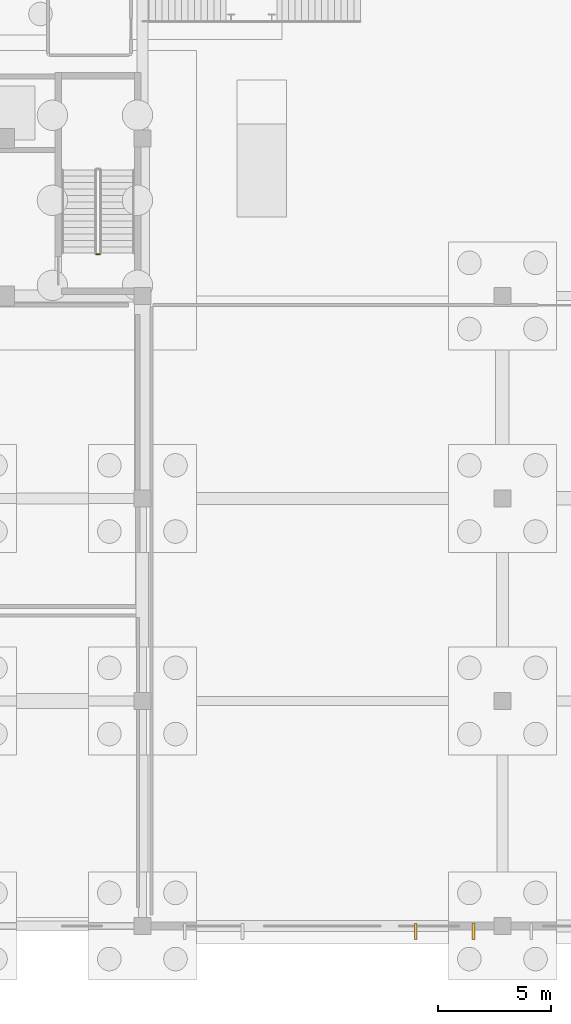
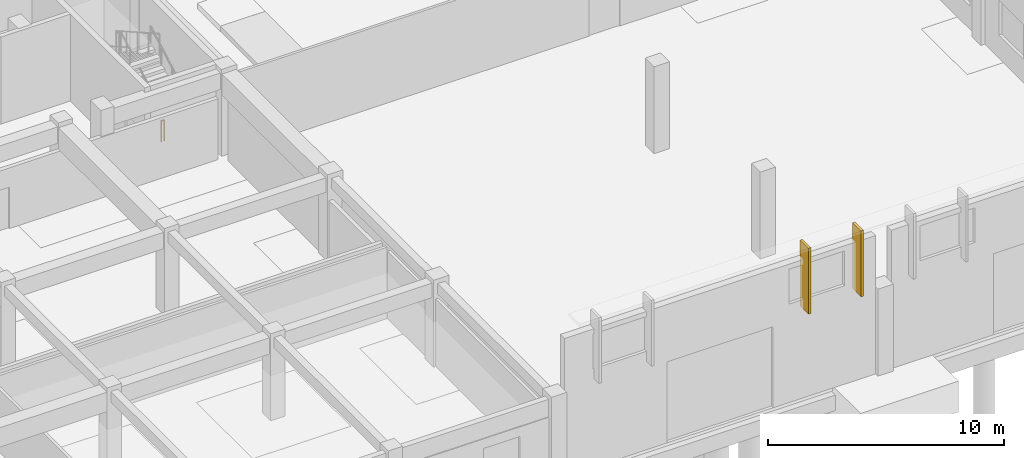
# One storey, part 78 of 84: 2 coverings, 1 railing.
"""IFC4 building model written with IfcOpenShell, lengths in metres."""

from ifc_helpers import new_model, si_unit, direction, frame, origin, origin_2d, place, context, subcontext, project, spatial, rectangle, circle, extrude, material, layer, layer_set, type_object, element, save


model = new_model("IFC4")

# Units and contexts
model_context = context("Model", 3, precision=1e-05, world=origin(), true_north=direction((0.0, 1.0)))
body_context = subcontext(model_context, "Body", "Model", "MODEL_VIEW")
ifc_project = project(units=[si_unit("LENGTHUNIT", "METRE"), si_unit("AREAUNIT", "SQUARE_METRE"), si_unit("VOLUMEUNIT", "CUBIC_METRE"), si_unit("PLANEANGLEUNIT", "RADIAN"), si_unit("MASSUNIT", "GRAM", prefix="KILO")], contexts=[model_context])

# Site, building, storey
site_placement = place(None, origin())
site = spatial("IfcSite", under=ifc_project, at=site_placement, CompositionType="ELEMENT")
building_placement = place(site_placement, origin())
building = spatial("IfcBuilding", under=site, at=building_placement, Name="Larkveld Mobility Hub", CompositionType="ELEMENT")
storey_placement = place(building_placement, origin())
storey = spatial("IfcBuildingStorey", under=building, at=storey_placement, Name="L00", CompositionType="ELEMENT", Elevation=0.0)

# Coverings
ifc_material_1 = material(Name="Precast concrete C50/60", Category="concrete")
ifc_layer = layer(ifc_material_1, 0.1201171875, Name="Precast concrete C50/60", Category="concrete")
ifc_layer_set = layer_set([ifc_layer], Name="Precast concrete C50/60")
covering_type = type_object("IfcCoveringType", Name="COV-QSL-V01", PredefinedType="CLADDING", material=ifc_layer_set)
for number, where, z_axis, x_axis, name in (
    (1, (164.14990234375, -0.239990234375, 4.58056640625), (0.0, 0.0, 1.0), (1.0, 0.0, 0.0), "Precast Quebra-Sol Vertical Fin QSV-189"),
    (2, (166.717041015625, -0.239990234375, 4.58056640625), (0.0, 0.0, 1.0), (1.0, 0.0, 0.0), "Precast Quebra-Sol Vertical Fin QSV-190"),
):
    element("IfcCovering", number, at=place(storey_placement, frame(where, z_axis=z_axis, x_axis=x_axis)), inside=storey, type_object=covering_type, Name=name, PredefinedType="CLADDING", context=body_context, shape_type="SweptSolid", body=[
        extrude(rectangle(XDim=0.1201171875, YDim=0.719970703125, at=origin_2d()), origin(), (0.0, 0.0, 1.0), 3.405029296875),
    ])

# Railing
ifc_material_2 = material(Name="Galvanized Steel S355JR balustrade", Category="steel")
railing_type = type_object("IfcRailingType", Name="RL-GRD-1100", PredefinedType="GUARDRAIL", material=ifc_material_2)
railing_placement = place(storey_placement, frame((150.10009765625, 29.85009765625, 0.0)))
element("IfcRailing", 3, at=railing_placement, inside=storey, type_object=railing_type, Name="L00 ST1 stair guard 4", PredefinedType="GUARDRAIL", context=body_context, shape_type="SweptSolid", body=[
    extrude(circle(Radius=0.02392578125, at=origin_2d()), frame((0.0, 0.0, 1.076171875), z_axis=(-1.0, 0.0, 0.0), x_axis=(0.0, -1.0, 0.0)), (0.0, 0.0, 1.0), 0.150146484375),
    extrude(circle(Radius=0.02099609375, at=origin_2d()), origin(), (0.0, 0.0, 1.0), 1.052001953125),
    extrude(circle(Radius=0.02099609375, at=origin_2d()), frame((-0.150146484375, 0.0, 0.0)), (0.0, 0.0, 1.0), 1.052001953125),
])

save(model, "model.ifc")
